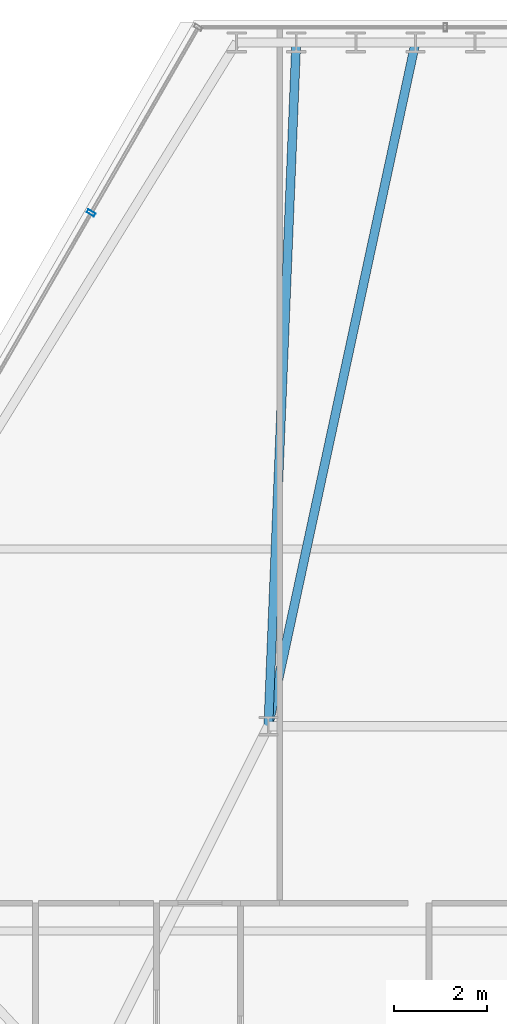
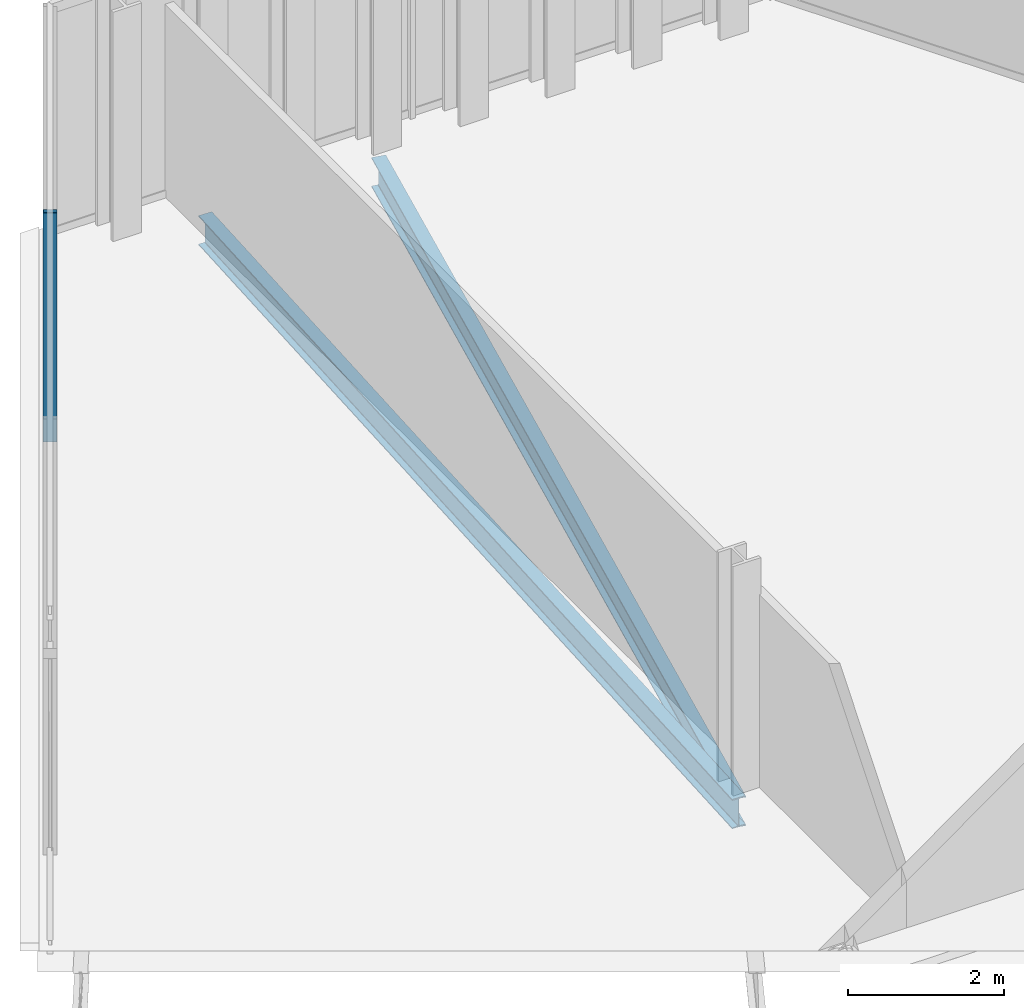
# One storey, part 22 of 33: 2 beams, 1 member, 1 element without a shape of its own.
"""IFC4 building model written with IfcOpenShell, lengths in metres."""

from ifc_helpers import new_model, si_unit, direction, frame, origin, origin_2d, place, context, subcontext, project, spatial, hollow_rectangle, i_section, extrude, material, layer, layer_set, material_profile, profile_set, type_object, element, aggregate, save


model = new_model("IFC4")

# Units and contexts
model_context = context("Model", 3, precision=1e-05, world=origin(), true_north=direction((0.0, 1.0)))
body_context = subcontext(model_context, "Body", "Model", "MODEL_VIEW")
ifc_project = project(units=[si_unit("LENGTHUNIT", "METRE"), si_unit("AREAUNIT", "SQUARE_METRE"), si_unit("VOLUMEUNIT", "CUBIC_METRE"), si_unit("PLANEANGLEUNIT", "RADIAN"), si_unit("MASSUNIT", "GRAM", prefix="KILO")], contexts=[model_context])

# Site, building, storey
site_placement = place(None, origin())
site = spatial("IfcSite", under=ifc_project, at=site_placement, CompositionType="ELEMENT")
building_placement = place(site_placement, origin())
building = spatial("IfcBuilding", under=site, at=building_placement, Name="Ndaravel Arena Tower", CompositionType="ELEMENT")
storey_placement = place(building_placement, frame((0.0, 0.0, 161.199951171875)))
storey = spatial("IfcBuildingStorey", under=building, at=storey_placement, Name="L38", CompositionType="ELEMENT", Elevation=161.199951171875)

# Beams
ifc_material_1 = material(Name="Steel S355", Category="steel")
ifc_material_profile_1 = material_profile(ifc_material_1, i_section(OverallWidth=0.19140625, OverallDepth=0.4599609375, WebThickness=0.010009765625, FlangeThickness=0.01611328125, FilletRadius=0.01025390625, at=origin_2d()), Name="UB 457x191x82")
ifc_profile_set_1 = profile_set([ifc_material_profile_1], Name="Steel S355")
beam_type = type_object("IfcBeamType", Name="BM-GIRD-UB457", PredefinedType="BEAM", material=ifc_profile_set_1)
beam_1_placement = place(storey_placement, frame((41.360107421875, 45.881591796875, -0.449951171875), z_axis=(-0.210426050317, -0.977609777646, 0.0), x_axis=(0.977609777646, -0.210426050317, 0.0)))
element("IfcBeam", 1, at=beam_1_placement, inside=storey, type_object=beam_type, Name="L38 Radial Floor Girder FG-15", PredefinedType="BEAM", context=body_context, shape_type="SweptSolid", body=[
    extrude(i_section(OverallWidth=0.19140625, OverallDepth=0.4599609375, WebThickness=0.010009765625, FlangeThickness=0.01611328125, FilletRadius=0.01025390625, at=origin_2d()), origin(), (0.0, 0.0, 1.0), 15.017822265625),
])
beam_2_placement = place(storey_placement, frame((38.7998046875, 45.881591796875, -0.449951171875), z_axis=(-0.040823330395, -0.999166380387, 0.0), x_axis=(0.999166380387, -0.040823330395, 0.0)))
element("IfcBeam", 2, at=beam_2_placement, inside=storey, type_object=beam_type, Name="L38 Radial Floor Girder FG-17", PredefinedType="BEAM", context=body_context, shape_type="SweptSolid", body=[
    extrude(i_section(OverallWidth=0.19140625, OverallDepth=0.4599609375, WebThickness=0.010009765625, FlangeThickness=0.01611328125, FilletRadius=0.01025390625, at=origin_2d()), origin(), (0.0, 0.0, 1.0), 14.69384765625),
])

# Curtain wall, member
ifc_material_2 = material(Name="Aluminium", Category="aluminium")
ifc_layer = layer(ifc_material_2, 0.179931640625)
ifc_layer_set = layer_set([ifc_layer], Name="Aluminium")
curtain_wall_type = type_object("IfcCurtainWallType", Name="CW-SYS-03", PredefinedType="NOTDEFINED", material=ifc_layer_set)
curtain_wall_placement = place(storey_placement, origin())
curtain_wall = element("IfcCurtainWall", 3, at=curtain_wall_placement, inside=storey, type_object=curtain_wall_type, Name="L38 Faceted Crystal Curtain Wall CW-L38-E05", PredefinedType="NOTDEFINED")
ifc_material_3 = material(Name="Aluminium", Category="aluminium")
ifc_material_profile_2 = material_profile(ifc_material_3, hollow_rectangle(XDim=0.074951171875, YDim=0.179931640625, WallThickness=0.00390625, at=origin_2d()), Name="CW MULLION 75x180x4")
ifc_profile_set_2 = profile_set([ifc_material_profile_2], Name="Aluminium")
member_type = type_object("IfcMemberType", Name="MEM-CW-MUL180", PredefinedType="MULLION", material=ifc_profile_set_2)
member_placement = place(storey_placement, frame((34.396240234375, 42.219970703125, 0.0), z_axis=(0.0, 0.0, 1.0), x_axis=(-0.5, -0.866025403784, 0.0)))
member = element("IfcMember", 4, at=member_placement, type_object=member_type, Name="CW-L38-E05 Mullion 01", PredefinedType="MULLION", context=body_context, shape_type="SweptSolid", body=[
    extrude(hollow_rectangle(XDim=0.074951171875, YDim=0.179931640625, WallThickness=0.00390625, at=origin_2d()), origin(), (0.0, 0.0, 1.0), 3.580078125),
])
aggregate(curtain_wall, [member])

save(model, "model.ifc")
